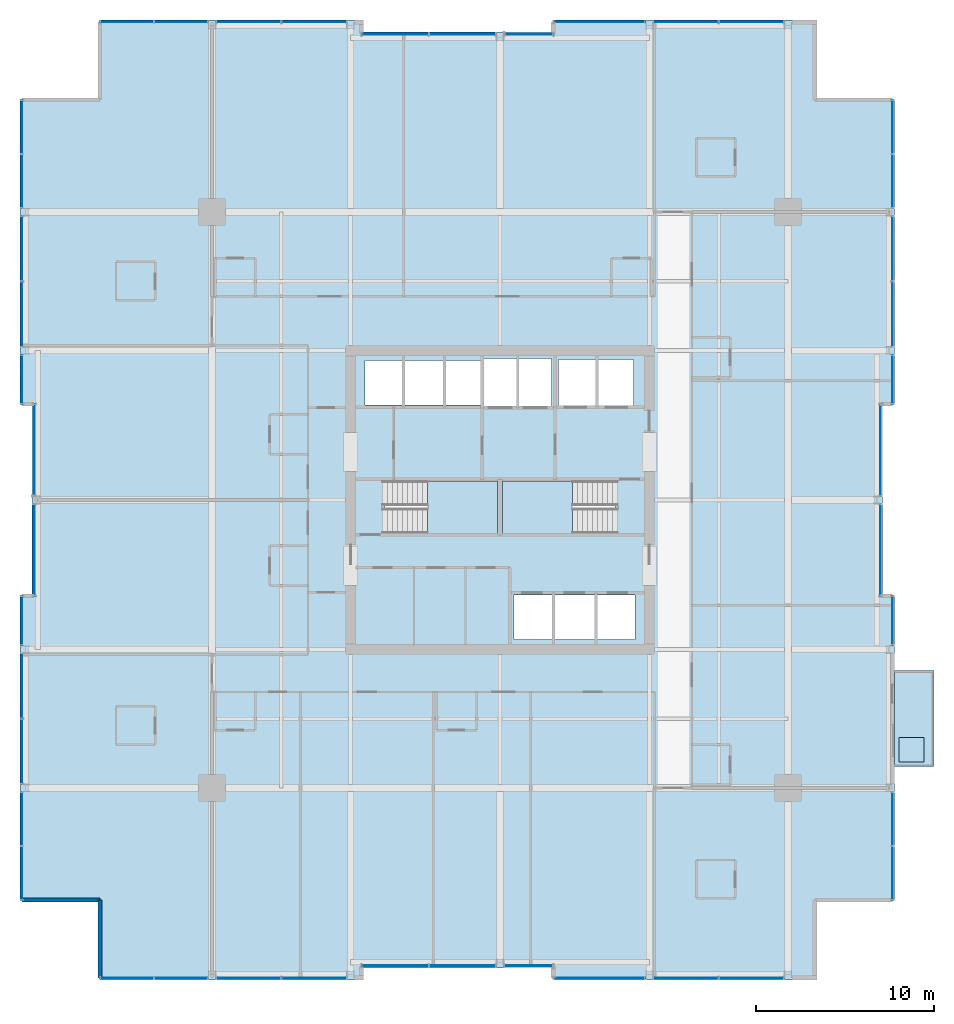
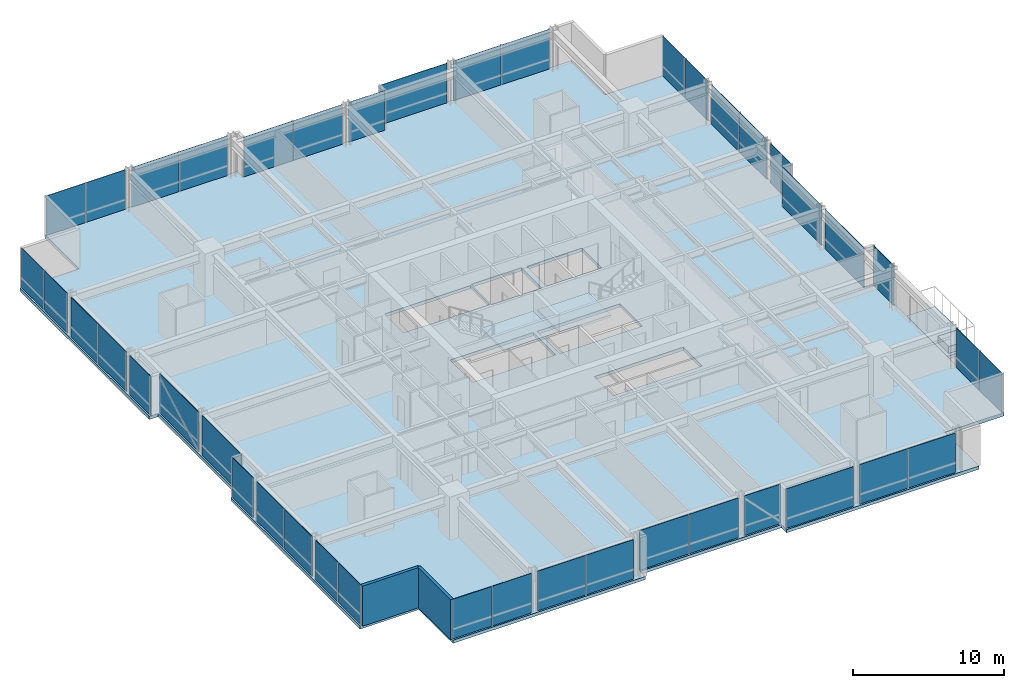
# One storey, part 27 of 34: 42 plates, 5 slabs, 2 walls, 29 elements without a shape of their own.
"""IFC4 building model written with IfcOpenShell, lengths in metres."""

from ifc_helpers import new_model, si_unit, direction, frame, frame_2d, origin, origin_2d, place, context, subcontext, project, spatial, polyline, rectangle, outline, extrude, material, layer, layer_set, type_object, element, aggregate, save


model = new_model("IFC4")

# Units and contexts
model_context = context("Model", 3, precision=1e-05, world=origin(), true_north=direction((0.0, 1.0)))
body_context = subcontext(model_context, "Body", "Model", "MODEL_VIEW")
ifc_project = project(units=[si_unit("LENGTHUNIT", "METRE"), si_unit("AREAUNIT", "SQUARE_METRE"), si_unit("VOLUMEUNIT", "CUBIC_METRE"), si_unit("PLANEANGLEUNIT", "RADIAN"), si_unit("MASSUNIT", "GRAM", prefix="KILO")], contexts=[model_context])

# Site, building, storey
site_placement = place(None, origin())
site = spatial("IfcSite", under=ifc_project, at=site_placement, CompositionType="ELEMENT")
building_placement = place(site_placement, origin())
building = spatial("IfcBuilding", under=site, at=building_placement, Name="Drelvath Grand Hotel", CompositionType="ELEMENT")
storey_placement = place(building_placement, frame((0.0, 0.0, 116.300048828125)))
storey = spatial("IfcBuildingStorey", under=building, at=storey_placement, Name="L29", CompositionType="ELEMENT", Elevation=116.300048828125)

# Slabs
ifc_material_1 = material(Name="Concrete f'c 40 MPa", Category="concrete")
ifc_layer_1 = layer(ifc_material_1, 0.239990234375)
ifc_layer_set_1 = layer_set([ifc_layer_1], Name="Concrete f'c 40 MPa")
slab_type_1 = type_object("IfcSlabType", Name="Cantilevered Tree Balcony Slab 240", PredefinedType="FLOOR", material=ifc_layer_set_1)
slab_1_placement = place(storey_placement, frame((0.0, 0.0, -0.239990234375)))
element("IfcSlab", 1, at=slab_1_placement, inside=storey, type_object=slab_type_1, Name="L29 Cantilevered Tree Balcony Slab 1", PredefinedType="FLOOR", context=body_context, shape_type="SweptSolid", body=[
    extrude(outline(polyline([(22.199951171875, 12.0), (24.39990234375, 12.0), (24.39990234375, 17.39990234375), (22.199951171875, 17.39990234375), (22.199951171875, 12.0)])), origin(), (0.0, 0.0, 1.0), 0.239990234375),
])
ifc_layer_2 = layer(ifc_material_1, 0.260009765625)
ifc_layer_set_2 = layer_set([ifc_layer_2], Name="Concrete f'c 40 MPa")
slab_type_2 = type_object("IfcSlabType", Name="Composite RC Floor Slab 260", PredefinedType="FLOOR", material=ifc_layer_set_2)
slab_2_placement = place(storey_placement, frame((0.0, 0.0, -0.260009765625)))
element("IfcSlab", 2, at=slab_2_placement, inside=storey, type_object=slab_type_2, Name="L29 Structural Floor Slab", PredefinedType="FLOOR", context=body_context, shape_type="SweptSolid", body=[
    extrude(outline(polyline([(-22.5, 0.0), (-7.800048828125, 0.0), (-7.800048828125, 0.679931640625), (3.0, 0.679931640625), (3.0, 0.0), (17.699951171875, 0.0), (17.699951171875, 4.5), (22.199951171875, 4.5), (22.199951171875, 21.60009765625), (21.52001953125, 21.60009765625), (21.52001953125, 32.39990234375), (22.199951171875, 32.39990234375), (22.199951171875, 49.5), (17.699951171875, 49.5), (17.699951171875, 54.0), (3.0, 54.0), (3.0, 53.320068359375), (-7.800048828125, 53.320068359375), (-7.800048828125, 54.0), (-22.5, 54.0), (-22.5, 49.5), (-27.0, 49.5), (-27.0, 32.39990234375), (-26.320068359375, 32.39990234375), (-26.320068359375, 21.60009765625), (-27.0, 21.60009765625), (-27.0, 4.5), (-22.5, 4.5), (-22.5, 0.0)]), holes=[polyline([(-6.47998046875, 25.1201171875), (-6.47998046875, 28.080078125), (-0.14990234375, 28.080078125), (-0.14990234375, 25.1201171875), (-6.47998046875, 25.1201171875)]), polyline([(0.14990234375, 25.1201171875), (0.14990234375, 28.080078125), (6.47998046875, 28.080078125), (6.47998046875, 25.1201171875), (0.14990234375, 25.1201171875)]), polyline([(0.800048828125, 19.14990234375), (0.800048828125, 21.64990234375), (7.60009765625, 21.64990234375), (7.60009765625, 19.14990234375), (0.800048828125, 19.14990234375)]), polyline([(-7.60009765625, 32.35009765625), (-7.60009765625, 34.85009765625), (-1.02001953125, 34.85009765625), (-1.02001953125, 32.35009765625), (-7.60009765625, 32.35009765625)]), polyline([(-0.89990234375, 32.25), (-0.89990234375, 34.949951171875), (2.89990234375, 34.949951171875), (2.89990234375, 32.25), (-0.89990234375, 32.25)]), polyline([(3.300048828125, 32.300048828125), (3.300048828125, 34.89990234375), (7.5, 34.89990234375), (7.5, 32.300048828125), (3.300048828125, 32.300048828125)])]), origin(), (0.0, 0.0, 1.0), 0.260009765625),
])

# Stair, slab
ifc_material_2 = material(Name="Concrete C40/50", Category="concrete")
stair_type = type_object("IfcStairType", Name="Dogleg Exit Stair W1400-R175.0", PredefinedType="HALF_TURN_STAIR", material=ifc_material_2)
stair_1_placement = place(storey_placement, origin())
stair_1 = element("IfcStair", 3, at=stair_1_placement, inside=storey, type_object=stair_type, Name="L29 Core Exit Stair ST-1", PredefinedType="HALF_TURN_STAIR")
ifc_layer_3 = layer(ifc_material_2, 0.199951171875)
ifc_layer_set_3 = layer_set([ifc_layer_3], Name="Concrete C40/50")
slab_type_3 = type_object("IfcSlabType", Name="Concrete Stair Landing Slab 200", PredefinedType="LANDING", material=ifc_layer_set_3)
slab_3_placement = place(storey_placement, frame((0.0, 0.0, 1.550048828125)))
slab_3 = element("IfcSlab", 4, at=slab_3_placement, type_object=slab_type_3, Name="ST-1 landing 1", PredefinedType="LANDING", context=body_context, shape_type="SweptSolid", body=[
    extrude(outline(polyline([(-4.080078125, 25.1201171875), (-0.14990234375, 25.1201171875), (-0.14990234375, 28.080078125), (-4.080078125, 28.080078125), (-4.080078125, 25.1201171875)])), origin(), (0.0, 0.0, 1.0), 0.199951171875),
])
aggregate(stair_1, [slab_3])

stair_2_placement = place(storey_placement, origin())
stair_2 = element("IfcStair", 5, at=stair_2_placement, inside=storey, type_object=stair_type, Name="L29 Core Exit Stair ST-2", PredefinedType="HALF_TURN_STAIR")
slab_4_placement = place(storey_placement, frame((0.0, 0.0, 1.550048828125)))
slab_4 = element("IfcSlab", 6, at=slab_4_placement, type_object=slab_type_3, Name="ST-2 landing 1", PredefinedType="LANDING", context=body_context, shape_type="SweptSolid", body=[
    extrude(outline(polyline([(4.080078125, 28.080078125), (0.14990234375, 28.080078125), (0.14990234375, 25.1201171875), (4.080078125, 25.1201171875), (4.080078125, 28.080078125)])), origin(), (0.0, 0.0, 1.0), 0.199951171875),
])
aggregate(stair_2, [slab_4])

# Curtain wall, plates
ifc_material_3 = material(Name="Champagne Bronze Anodised Aluminium Frame", Category="aluminium")
ifc_layer_4 = layer(ifc_material_3, 0.199951171875)
ifc_layer_set_4 = layer_set([ifc_layer_4], Name="Champagne Bronze Anodised Aluminium Frame")
curtain_wall_type = type_object("IfcCurtainWallType", Name="Stick Curtain Wall CW-03 Champagne Bronze Mid-Rise", PredefinedType="NOTDEFINED", material=ifc_layer_set_4)
curtain_wall_1_placement = place(storey_placement, origin())
curtain_wall_1 = element("IfcCurtainWall", 7, at=curtain_wall_1_placement, inside=storey, type_object=curtain_wall_type, Name="L29 CW-03 Curtain Wall CW03-L29-WS1", PredefinedType="NOTDEFINED")
ifc_material_4 = material(Name="Low-E Triple Silver Vision Glass Neutral", Category="glass")
ifc_layer_5 = layer(ifc_material_4, 0.035888671875)
ifc_layer_set_5 = layer_set([ifc_layer_5], Name="Low-E Triple Silver Vision Glass Neutral")
plate_type = type_object("IfcPlateType", Name="Curtain Wall Vision Panel CW-03 36mm", PredefinedType="CURTAIN_PANEL", material=ifc_layer_set_5)
plate_1_placement = place(storey_placement, frame((-26.8798828125, 6.02001953125, 0.02001953125), z_axis=(0.0, 0.0, 1.0), x_axis=(0.0, 1.0, 0.0)))
plate_1 = element("IfcPlate", 8, at=plate_1_placement, type_object=plate_type, Name="CW03-L29-WS1 Glazed Panel 1", PredefinedType="CURTAIN_PANEL", context=body_context, shape_type="SweptSolid", body=[
    extrude(rectangle(XDim=3.000244140625, YDim=0.035888671875, at=origin_2d()), origin(), (0.0, 0.0, 1.0), 3.199951171875),
])
plate_2_placement = place(storey_placement, frame((-26.8798828125, 9.060302734375, 0.02001953125), z_axis=(0.0, 0.0, 1.0), x_axis=(0.0, 1.0, 0.0)))
plate_2 = element("IfcPlate", 9, at=plate_2_placement, type_object=plate_type, Name="CW03-L29-WS1 Glazed Panel 2", PredefinedType="CURTAIN_PANEL", context=body_context, shape_type="SweptSolid", body=[
    extrude(rectangle(XDim=3.000244140625, YDim=0.035888671875, at=origin_2d()), origin(), (0.0, 0.0, 1.0), 3.199951171875),
])
aggregate(curtain_wall_1, [plate_1, plate_2])

curtain_wall_2_placement = place(storey_placement, origin())
curtain_wall_2 = element("IfcCurtainWall", 10, at=curtain_wall_2_placement, inside=storey, type_object=curtain_wall_type, Name="L29 CW-03 Curtain Wall CW03-L29-WS2", PredefinedType="NOTDEFINED")
plate_3_placement = place(storey_placement, frame((-26.8798828125, 12.85986328125, 0.02001953125), z_axis=(0.0, 0.0, 1.0), x_axis=(0.0, 1.0, 0.0)))
plate_3 = element("IfcPlate", 11, at=plate_3_placement, type_object=plate_type, Name="CW03-L29-WS2 Glazed Panel 1", PredefinedType="CURTAIN_PANEL", context=body_context, shape_type="SweptSolid", body=[
    extrude(rectangle(XDim=3.640380859375, YDim=0.035888671875, at=origin_2d()), origin(), (0.0, 0.0, 1.0), 3.199951171875),
])
plate_4_placement = place(storey_placement, frame((-26.8798828125, 16.540283203125, 0.02001953125), z_axis=(0.0, 0.0, 1.0), x_axis=(0.0, 1.0, 0.0)))
plate_4 = element("IfcPlate", 12, at=plate_4_placement, type_object=plate_type, Name="CW03-L29-WS2 Glazed Panel 2", PredefinedType="CURTAIN_PANEL", context=body_context, shape_type="SweptSolid", body=[
    extrude(rectangle(XDim=3.640380859375, YDim=0.035888671875, at=origin_2d()), origin(), (0.0, 0.0, 1.0), 3.199951171875),
])
aggregate(curtain_wall_2, [plate_3, plate_4])

# Curtain wall, plate
curtain_wall_3_placement = place(storey_placement, origin())
curtain_wall_3 = element("IfcCurtainWall", 13, at=curtain_wall_3_placement, inside=storey, type_object=curtain_wall_type, Name="L29 CW-03 Curtain Wall CW03-L29-WS3", PredefinedType="NOTDEFINED")
plate_5_placement = place(storey_placement, frame((-26.8798828125, 20.209716796875, 0.02001953125), z_axis=(0.0, 0.0, 1.0), x_axis=(0.0, 1.0, 0.0)))
plate_5 = element("IfcPlate", 14, at=plate_5_placement, type_object=plate_type, Name="CW03-L29-WS3 Glazed Panel 1", PredefinedType="CURTAIN_PANEL", context=body_context, shape_type="SweptSolid", body=[
    extrude(rectangle(XDim=2.740478515625, YDim=0.035888671875, at=origin_2d()), origin(), (0.0, 0.0, 1.0), 3.199951171875),
])
aggregate(curtain_wall_3, [plate_5])

curtain_wall_4_placement = place(storey_placement, origin())
curtain_wall_4 = element("IfcCurtainWall", 15, at=curtain_wall_4_placement, inside=storey, type_object=curtain_wall_type, Name="L29 CW-03 Curtain Wall CW03-L29-WM1", PredefinedType="NOTDEFINED")
plate_6_placement = place(storey_placement, frame((-26.199951171875, 24.190185546875, 0.02001953125), z_axis=(0.0, 0.0, 1.0), x_axis=(0.0, 1.0, 0.0)))
plate_6 = element("IfcPlate", 16, at=plate_6_placement, type_object=plate_type, Name="CW03-L29-WM1 Glazed Panel 1", PredefinedType="CURTAIN_PANEL", context=body_context, shape_type="SweptSolid", body=[
    extrude(rectangle(XDim=5.140380859375, YDim=0.035888671875, at=origin_2d()), origin(), (0.0, 0.0, 1.0), 3.199951171875),
])
aggregate(curtain_wall_4, [plate_6])

curtain_wall_5_placement = place(storey_placement, origin())
curtain_wall_5 = element("IfcCurtainWall", 17, at=curtain_wall_5_placement, inside=storey, type_object=curtain_wall_type, Name="L29 CW-03 Curtain Wall CW03-L29-WM2", PredefinedType="NOTDEFINED")
plate_7_placement = place(storey_placement, frame((-26.199951171875, 29.809814453125, 0.02001953125), z_axis=(0.0, 0.0, 1.0), x_axis=(0.0, 1.0, 0.0)))
plate_7 = element("IfcPlate", 18, at=plate_7_placement, type_object=plate_type, Name="CW03-L29-WM2 Glazed Panel 1", PredefinedType="CURTAIN_PANEL", context=body_context, shape_type="SweptSolid", body=[
    extrude(rectangle(XDim=5.140380859375, YDim=0.035888671875, at=origin_2d()), origin(), (0.0, 0.0, 1.0), 3.199951171875),
])
aggregate(curtain_wall_5, [plate_7])

curtain_wall_6_placement = place(storey_placement, origin())
curtain_wall_6 = element("IfcCurtainWall", 19, at=curtain_wall_6_placement, inside=storey, type_object=curtain_wall_type, Name="L29 CW-03 Curtain Wall CW03-L29-WN1", PredefinedType="NOTDEFINED")
plate_8_placement = place(storey_placement, frame((-26.8798828125, 33.790283203125, 0.02001953125), z_axis=(0.0, 0.0, 1.0), x_axis=(0.0, 1.0, 0.0)))
plate_8 = element("IfcPlate", 20, at=plate_8_placement, type_object=plate_type, Name="CW03-L29-WN1 Glazed Panel 1", PredefinedType="CURTAIN_PANEL", context=body_context, shape_type="SweptSolid", body=[
    extrude(rectangle(XDim=2.740478515625, YDim=0.035888671875, at=origin_2d()), origin(), (0.0, 0.0, 1.0), 3.199951171875),
])
aggregate(curtain_wall_6, [plate_8])

# Curtain wall, plates
curtain_wall_7_placement = place(storey_placement, origin())
curtain_wall_7 = element("IfcCurtainWall", 21, at=curtain_wall_7_placement, inside=storey, type_object=curtain_wall_type, Name="L29 CW-03 Curtain Wall CW03-L29-WN2", PredefinedType="NOTDEFINED")
plate_9_placement = place(storey_placement, frame((-26.8798828125, 37.459716796875, 0.02001953125), z_axis=(0.0, 0.0, 1.0), x_axis=(0.0, 1.0, 0.0)))
plate_9 = element("IfcPlate", 22, at=plate_9_placement, type_object=plate_type, Name="CW03-L29-WN2 Glazed Panel 1", PredefinedType="CURTAIN_PANEL", context=body_context, shape_type="SweptSolid", body=[
    extrude(rectangle(XDim=3.640380859375, YDim=0.035888671875, at=origin_2d()), origin(), (0.0, 0.0, 1.0), 3.199951171875),
])
plate_10_placement = place(storey_placement, frame((-26.8798828125, 41.14013671875, 0.02001953125), z_axis=(0.0, 0.0, 1.0), x_axis=(0.0, 1.0, 0.0)))
plate_10 = element("IfcPlate", 23, at=plate_10_placement, type_object=plate_type, Name="CW03-L29-WN2 Glazed Panel 2", PredefinedType="CURTAIN_PANEL", context=body_context, shape_type="SweptSolid", body=[
    extrude(rectangle(XDim=3.640380859375, YDim=0.035888671875, at=origin_2d()), origin(), (0.0, 0.0, 1.0), 3.199951171875),
])
aggregate(curtain_wall_7, [plate_9, plate_10])

curtain_wall_8_placement = place(storey_placement, origin())
curtain_wall_8 = element("IfcCurtainWall", 24, at=curtain_wall_8_placement, inside=storey, type_object=curtain_wall_type, Name="L29 CW-03 Curtain Wall CW03-L29-WN3", PredefinedType="NOTDEFINED")
plate_11_placement = place(storey_placement, frame((-26.8798828125, 44.939697265625, 0.02001953125), z_axis=(0.0, 0.0, 1.0), x_axis=(0.0, 1.0, 0.0)))
plate_11 = element("IfcPlate", 25, at=plate_11_placement, type_object=plate_type, Name="CW03-L29-WN3 Glazed Panel 1", PredefinedType="CURTAIN_PANEL", context=body_context, shape_type="SweptSolid", body=[
    extrude(rectangle(XDim=3.000244140625, YDim=0.035888671875, at=origin_2d()), origin(), (0.0, 0.0, 1.0), 3.199951171875),
])
plate_12_placement = place(storey_placement, frame((-26.8798828125, 47.97998046875, 0.02001953125), z_axis=(0.0, 0.0, 1.0), x_axis=(0.0, 1.0, 0.0)))
plate_12 = element("IfcPlate", 26, at=plate_12_placement, type_object=plate_type, Name="CW03-L29-WN3 Glazed Panel 2", PredefinedType="CURTAIN_PANEL", context=body_context, shape_type="SweptSolid", body=[
    extrude(rectangle(XDim=3.000244140625, YDim=0.035888671875, at=origin_2d()), origin(), (0.0, 0.0, 1.0), 3.199951171875),
])
aggregate(curtain_wall_8, [plate_11, plate_12])

# Curtain wall, plate
curtain_wall_9_placement = place(storey_placement, origin())
curtain_wall_9 = element("IfcCurtainWall", 27, at=curtain_wall_9_placement, inside=storey, type_object=curtain_wall_type, Name="L29 CW-03 Curtain Wall CW03-L29-EN1", PredefinedType="NOTDEFINED")
plate_13_placement = place(storey_placement, frame((22.080078125, 33.790283203125, 0.02001953125), z_axis=(0.0, 0.0, 1.0), x_axis=(0.0, -1.0, 0.0)))
plate_13 = element("IfcPlate", 28, at=plate_13_placement, type_object=plate_type, Name="CW03-L29-EN1 Glazed Panel 1", PredefinedType="CURTAIN_PANEL", context=body_context, shape_type="SweptSolid", body=[
    extrude(rectangle(XDim=2.740478515625, YDim=0.035888671875, at=origin_2d()), origin(), (0.0, 0.0, 1.0), 3.199951171875),
])
aggregate(curtain_wall_9, [plate_13])

# Curtain wall, plates
curtain_wall_10_placement = place(storey_placement, origin())
curtain_wall_10 = element("IfcCurtainWall", 29, at=curtain_wall_10_placement, inside=storey, type_object=curtain_wall_type, Name="L29 CW-03 Curtain Wall CW03-L29-EN2", PredefinedType="NOTDEFINED")
plate_14_placement = place(storey_placement, frame((22.080078125, 41.14013671875, 0.02001953125), z_axis=(0.0, 0.0, 1.0), x_axis=(0.0, -1.0, 0.0)))
plate_14 = element("IfcPlate", 30, at=plate_14_placement, type_object=plate_type, Name="CW03-L29-EN2 Glazed Panel 1", PredefinedType="CURTAIN_PANEL", context=body_context, shape_type="SweptSolid", body=[
    extrude(rectangle(XDim=3.640380859375, YDim=0.035888671875, at=origin_2d()), origin(), (0.0, 0.0, 1.0), 3.199951171875),
])
plate_15_placement = place(storey_placement, frame((22.080078125, 37.459716796875, 0.02001953125), z_axis=(0.0, 0.0, 1.0), x_axis=(0.0, -1.0, 0.0)))
plate_15 = element("IfcPlate", 31, at=plate_15_placement, type_object=plate_type, Name="CW03-L29-EN2 Glazed Panel 2", PredefinedType="CURTAIN_PANEL", context=body_context, shape_type="SweptSolid", body=[
    extrude(rectangle(XDim=3.640380859375, YDim=0.035888671875, at=origin_2d()), origin(), (0.0, 0.0, 1.0), 3.199951171875),
])
aggregate(curtain_wall_10, [plate_14, plate_15])

curtain_wall_11_placement = place(storey_placement, origin())
curtain_wall_11 = element("IfcCurtainWall", 32, at=curtain_wall_11_placement, inside=storey, type_object=curtain_wall_type, Name="L29 CW-03 Curtain Wall CW03-L29-EN3", PredefinedType="NOTDEFINED")
plate_16_placement = place(storey_placement, frame((22.080078125, 47.97998046875, 0.02001953125), z_axis=(0.0, 0.0, 1.0), x_axis=(0.0, -1.0, 0.0)))
plate_16 = element("IfcPlate", 33, at=plate_16_placement, type_object=plate_type, Name="CW03-L29-EN3 Glazed Panel 1", PredefinedType="CURTAIN_PANEL", context=body_context, shape_type="SweptSolid", body=[
    extrude(rectangle(XDim=3.000244140625, YDim=0.035888671875, at=origin_2d()), origin(), (0.0, 0.0, 1.0), 3.199951171875),
])
plate_17_placement = place(storey_placement, frame((22.080078125, 44.939697265625, 0.02001953125), z_axis=(0.0, 0.0, 1.0), x_axis=(0.0, -1.0, 0.0)))
plate_17 = element("IfcPlate", 34, at=plate_17_placement, type_object=plate_type, Name="CW03-L29-EN3 Glazed Panel 2", PredefinedType="CURTAIN_PANEL", context=body_context, shape_type="SweptSolid", body=[
    extrude(rectangle(XDim=3.000244140625, YDim=0.035888671875, at=origin_2d()), origin(), (0.0, 0.0, 1.0), 3.199951171875),
])
aggregate(curtain_wall_11, [plate_16, plate_17])

# Curtain wall, plate
curtain_wall_12_placement = place(storey_placement, origin())
curtain_wall_12 = element("IfcCurtainWall", 35, at=curtain_wall_12_placement, inside=storey, type_object=curtain_wall_type, Name="L29 CW-03 Curtain Wall CW03-L29-EM1", PredefinedType="NOTDEFINED")
plate_18_placement = place(storey_placement, frame((21.39990234375, 24.190185546875, 0.02001953125), z_axis=(0.0, 0.0, 1.0), x_axis=(0.0, -1.0, 0.0)))
plate_18 = element("IfcPlate", 36, at=plate_18_placement, type_object=plate_type, Name="CW03-L29-EM1 Glazed Panel 1", PredefinedType="CURTAIN_PANEL", context=body_context, shape_type="SweptSolid", body=[
    extrude(rectangle(XDim=5.140380859375, YDim=0.035888671875, at=origin_2d()), origin(), (0.0, 0.0, 1.0), 3.199951171875),
])
aggregate(curtain_wall_12, [plate_18])

curtain_wall_13_placement = place(storey_placement, origin())
curtain_wall_13 = element("IfcCurtainWall", 37, at=curtain_wall_13_placement, inside=storey, type_object=curtain_wall_type, Name="L29 CW-03 Curtain Wall CW03-L29-EM2", PredefinedType="NOTDEFINED")
plate_19_placement = place(storey_placement, frame((21.39990234375, 29.809814453125, 0.02001953125), z_axis=(0.0, 0.0, 1.0), x_axis=(0.0, -1.0, 0.0)))
plate_19 = element("IfcPlate", 38, at=plate_19_placement, type_object=plate_type, Name="CW03-L29-EM2 Glazed Panel 1", PredefinedType="CURTAIN_PANEL", context=body_context, shape_type="SweptSolid", body=[
    extrude(rectangle(XDim=5.140380859375, YDim=0.035888671875, at=origin_2d()), origin(), (0.0, 0.0, 1.0), 3.199951171875),
])
aggregate(curtain_wall_13, [plate_19])

# Curtain wall, plates
curtain_wall_14_placement = place(storey_placement, origin())
curtain_wall_14 = element("IfcCurtainWall", 39, at=curtain_wall_14_placement, inside=storey, type_object=curtain_wall_type, Name="L29 CW-03 Curtain Wall CW03-L29-ES1", PredefinedType="NOTDEFINED")
plate_20_placement = place(storey_placement, frame((22.080078125, 9.060302734375, 0.02001953125), z_axis=(0.0, 0.0, 1.0), x_axis=(0.0, -1.0, 0.0)))
plate_20 = element("IfcPlate", 40, at=plate_20_placement, type_object=plate_type, Name="CW03-L29-ES1 Glazed Panel 1", PredefinedType="CURTAIN_PANEL", context=body_context, shape_type="SweptSolid", body=[
    extrude(rectangle(XDim=3.000244140625, YDim=0.035888671875, at=origin_2d()), origin(), (0.0, 0.0, 1.0), 3.199951171875),
])
plate_21_placement = place(storey_placement, frame((22.080078125, 6.02001953125, 0.02001953125), z_axis=(0.0, 0.0, 1.0), x_axis=(0.0, -1.0, 0.0)))
plate_21 = element("IfcPlate", 41, at=plate_21_placement, type_object=plate_type, Name="CW03-L29-ES1 Glazed Panel 2", PredefinedType="CURTAIN_PANEL", context=body_context, shape_type="SweptSolid", body=[
    extrude(rectangle(XDim=3.000244140625, YDim=0.035888671875, at=origin_2d()), origin(), (0.0, 0.0, 1.0), 3.199951171875),
])
aggregate(curtain_wall_14, [plate_20, plate_21])

# Curtain wall, plate
curtain_wall_15_placement = place(storey_placement, origin())
curtain_wall_15 = element("IfcCurtainWall", 42, at=curtain_wall_15_placement, inside=storey, type_object=curtain_wall_type, Name="L29 CW-03 Curtain Wall CW03-L29-ES3", PredefinedType="NOTDEFINED")
plate_22_placement = place(storey_placement, frame((22.080078125, 20.209716796875, 0.02001953125), z_axis=(0.0, 0.0, 1.0), x_axis=(0.0, -1.0, 0.0)))
plate_22 = element("IfcPlate", 43, at=plate_22_placement, type_object=plate_type, Name="CW03-L29-ES3 Glazed Panel 1", PredefinedType="CURTAIN_PANEL", context=body_context, shape_type="SweptSolid", body=[
    extrude(rectangle(XDim=2.740478515625, YDim=0.035888671875, at=origin_2d()), origin(), (0.0, 0.0, 1.0), 3.199951171875),
])
aggregate(curtain_wall_15, [plate_22])

# Curtain wall, plates
curtain_wall_16_placement = place(storey_placement, origin())
curtain_wall_16 = element("IfcCurtainWall", 44, at=curtain_wall_16_placement, inside=storey, type_object=curtain_wall_type, Name="L29 CW-03 Curtain Wall CW03-L29-NW1", PredefinedType="NOTDEFINED")
plate_23_placement = place(storey_placement, frame((-20.97998046875, 53.8798828125, 0.02001953125), z_axis=(0.0, 0.0, 1.0), x_axis=(1.0, 0.0, 0.0)))
plate_23 = element("IfcPlate", 45, at=plate_23_placement, type_object=plate_type, Name="CW03-L29-NW1 Glazed Panel 1", PredefinedType="CURTAIN_PANEL", context=body_context, shape_type="SweptSolid", body=[
    extrude(rectangle(XDim=3.000244140625, YDim=0.035888671875, at=origin_2d()), origin(), (0.0, 0.0, 1.0), 3.199951171875),
])
plate_24_placement = place(storey_placement, frame((-17.939697265625, 53.8798828125, 0.02001953125), z_axis=(0.0, 0.0, 1.0), x_axis=(1.0, 0.0, 0.0)))
plate_24 = element("IfcPlate", 46, at=plate_24_placement, type_object=plate_type, Name="CW03-L29-NW1 Glazed Panel 2", PredefinedType="CURTAIN_PANEL", context=body_context, shape_type="SweptSolid", body=[
    extrude(rectangle(XDim=3.000244140625, YDim=0.035888671875, at=origin_2d()), origin(), (0.0, 0.0, 1.0), 3.199951171875),
])
aggregate(curtain_wall_16, [plate_23, plate_24])

curtain_wall_17_placement = place(storey_placement, origin())
curtain_wall_17 = element("IfcCurtainWall", 47, at=curtain_wall_17_placement, inside=storey, type_object=curtain_wall_type, Name="L29 CW-03 Curtain Wall CW03-L29-NW2", PredefinedType="NOTDEFINED")
plate_25_placement = place(storey_placement, frame((-14.14013671875, 53.8798828125, 0.02001953125), z_axis=(0.0, 0.0, 1.0), x_axis=(1.0, 0.0, 0.0)))
plate_25 = element("IfcPlate", 48, at=plate_25_placement, type_object=plate_type, Name="CW03-L29-NW2 Glazed Panel 1", PredefinedType="CURTAIN_PANEL", context=body_context, shape_type="SweptSolid", body=[
    extrude(rectangle(XDim=3.640380859375, YDim=0.035888671875, at=origin_2d()), origin(), (0.0, 0.0, 1.0), 3.199951171875),
])
plate_26_placement = place(storey_placement, frame((-10.459716796875, 53.8798828125, 0.02001953125), z_axis=(0.0, 0.0, 1.0), x_axis=(1.0, 0.0, 0.0)))
plate_26 = element("IfcPlate", 49, at=plate_26_placement, type_object=plate_type, Name="CW03-L29-NW2 Glazed Panel 2", PredefinedType="CURTAIN_PANEL", context=body_context, shape_type="SweptSolid", body=[
    extrude(rectangle(XDim=3.640380859375, YDim=0.035888671875, at=origin_2d()), origin(), (0.0, 0.0, 1.0), 3.199951171875),
])
aggregate(curtain_wall_17, [plate_25, plate_26])

curtain_wall_18_placement = place(storey_placement, origin())
curtain_wall_18 = element("IfcCurtainWall", 50, at=curtain_wall_18_placement, inside=storey, type_object=curtain_wall_type, Name="L29 CW-03 Curtain Wall CW03-L29-NM1", PredefinedType="NOTDEFINED")
plate_27_placement = place(storey_placement, frame((-5.90478515625, 53.199951171875, 0.02001953125), z_axis=(0.0, 0.0, 1.0), x_axis=(1.0, 0.0, 0.0)))
plate_27 = element("IfcPlate", 51, at=plate_27_placement, type_object=plate_type, Name="CW03-L29-NM1 Glazed Panel 1", PredefinedType="CURTAIN_PANEL", context=body_context, shape_type="SweptSolid", body=[
    extrude(rectangle(XDim=3.750244140625, YDim=0.035888671875, at=origin_2d()), origin(), (0.0, 0.0, 1.0), 3.199951171875),
])
plate_28_placement = place(storey_placement, frame((-2.11474609375, 53.199951171875, 0.02001953125), z_axis=(0.0, 0.0, 1.0), x_axis=(1.0, 0.0, 0.0)))
plate_28 = element("IfcPlate", 52, at=plate_28_placement, type_object=plate_type, Name="CW03-L29-NM1 Glazed Panel 2", PredefinedType="CURTAIN_PANEL", context=body_context, shape_type="SweptSolid", body=[
    extrude(rectangle(XDim=3.750244140625, YDim=0.035888671875, at=origin_2d()), origin(), (0.0, 0.0, 1.0), 3.199951171875),
])
aggregate(curtain_wall_18, [plate_27, plate_28])

# Curtain wall, plate
curtain_wall_19_placement = place(storey_placement, origin())
curtain_wall_19 = element("IfcCurtainWall", 53, at=curtain_wall_19_placement, inside=storey, type_object=curtain_wall_type, Name="L29 CW-03 Curtain Wall CW03-L29-NM2", PredefinedType="NOTDEFINED")
plate_29_placement = place(storey_placement, frame((1.60986328125, 53.199951171875, 0.02001953125), z_axis=(0.0, 0.0, 1.0), x_axis=(1.0, 0.0, 0.0)))
plate_29 = element("IfcPlate", 54, at=plate_29_placement, type_object=plate_type, Name="CW03-L29-NM2 Glazed Panel 1", PredefinedType="CURTAIN_PANEL", context=body_context, shape_type="SweptSolid", body=[
    extrude(rectangle(XDim=2.740478515625, YDim=0.035888671875, at=origin_2d()), origin(), (0.0, 0.0, 1.0), 3.199951171875),
])
aggregate(curtain_wall_19, [plate_29])

curtain_wall_20_placement = place(storey_placement, origin())
curtain_wall_20 = element("IfcCurtainWall", 55, at=curtain_wall_20_placement, inside=storey, type_object=curtain_wall_type, Name="L29 CW-03 Curtain Wall CW03-L29-NE1", PredefinedType="NOTDEFINED")
plate_30_placement = place(storey_placement, frame((5.590087890625, 53.8798828125, 0.02001953125), z_axis=(0.0, 0.0, 1.0), x_axis=(1.0, 0.0, 0.0)))
plate_30 = element("IfcPlate", 56, at=plate_30_placement, type_object=plate_type, Name="CW03-L29-NE1 Glazed Panel 1", PredefinedType="CURTAIN_PANEL", context=body_context, shape_type="SweptSolid", body=[
    extrude(rectangle(XDim=5.140380859375, YDim=0.035888671875, at=origin_2d()), origin(), (0.0, 0.0, 1.0), 3.199951171875),
])
aggregate(curtain_wall_20, [plate_30])

# Curtain wall, plates
curtain_wall_21_placement = place(storey_placement, origin())
curtain_wall_21 = element("IfcCurtainWall", 57, at=curtain_wall_21_placement, inside=storey, type_object=curtain_wall_type, Name="L29 CW-03 Curtain Wall CW03-L29-NE2", PredefinedType="NOTDEFINED")
plate_31_placement = place(storey_placement, frame((10.459716796875, 53.8798828125, 0.02001953125), z_axis=(0.0, 0.0, 1.0), x_axis=(1.0, 0.0, 0.0)))
plate_31 = element("IfcPlate", 58, at=plate_31_placement, type_object=plate_type, Name="CW03-L29-NE2 Glazed Panel 1", PredefinedType="CURTAIN_PANEL", context=body_context, shape_type="SweptSolid", body=[
    extrude(rectangle(XDim=3.640380859375, YDim=0.035888671875, at=origin_2d()), origin(), (0.0, 0.0, 1.0), 3.199951171875),
])
plate_32_placement = place(storey_placement, frame((14.14013671875, 53.8798828125, 0.02001953125), z_axis=(0.0, 0.0, 1.0), x_axis=(1.0, 0.0, 0.0)))
plate_32 = element("IfcPlate", 59, at=plate_32_placement, type_object=plate_type, Name="CW03-L29-NE2 Glazed Panel 2", PredefinedType="CURTAIN_PANEL", context=body_context, shape_type="SweptSolid", body=[
    extrude(rectangle(XDim=3.640380859375, YDim=0.035888671875, at=origin_2d()), origin(), (0.0, 0.0, 1.0), 3.199951171875),
])
aggregate(curtain_wall_21, [plate_31, plate_32])

# Curtain wall, plate
curtain_wall_22_placement = place(storey_placement, origin())
curtain_wall_22 = element("IfcCurtainWall", 60, at=curtain_wall_22_placement, inside=storey, type_object=curtain_wall_type, Name="L29 CW-03 Curtain Wall CW03-L29-SE1", PredefinedType="NOTDEFINED")
plate_33_placement = place(storey_placement, frame((5.590087890625, 0.1201171875, 0.02001953125), z_axis=(0.0, 0.0, 1.0), x_axis=(-1.0, 0.0, 0.0)))
plate_33 = element("IfcPlate", 61, at=plate_33_placement, type_object=plate_type, Name="CW03-L29-SE1 Glazed Panel 1", PredefinedType="CURTAIN_PANEL", context=body_context, shape_type="SweptSolid", body=[
    extrude(rectangle(XDim=5.140380859375, YDim=0.035888671875, at=origin_2d()), origin(), (0.0, 0.0, 1.0), 3.199951171875),
])
aggregate(curtain_wall_22, [plate_33])

# Curtain wall, plates
curtain_wall_23_placement = place(storey_placement, origin())
curtain_wall_23 = element("IfcCurtainWall", 62, at=curtain_wall_23_placement, inside=storey, type_object=curtain_wall_type, Name="L29 CW-03 Curtain Wall CW03-L29-SE2", PredefinedType="NOTDEFINED")
plate_34_placement = place(storey_placement, frame((14.14013671875, 0.1201171875, 0.02001953125), z_axis=(0.0, 0.0, 1.0), x_axis=(-1.0, 0.0, 0.0)))
plate_34 = element("IfcPlate", 63, at=plate_34_placement, type_object=plate_type, Name="CW03-L29-SE2 Glazed Panel 1", PredefinedType="CURTAIN_PANEL", context=body_context, shape_type="SweptSolid", body=[
    extrude(rectangle(XDim=3.640380859375, YDim=0.035888671875, at=origin_2d()), origin(), (0.0, 0.0, 1.0), 3.199951171875),
])
plate_35_placement = place(storey_placement, frame((10.459716796875, 0.1201171875, 0.02001953125), z_axis=(0.0, 0.0, 1.0), x_axis=(-1.0, 0.0, 0.0)))
plate_35 = element("IfcPlate", 64, at=plate_35_placement, type_object=plate_type, Name="CW03-L29-SE2 Glazed Panel 2", PredefinedType="CURTAIN_PANEL", context=body_context, shape_type="SweptSolid", body=[
    extrude(rectangle(XDim=3.640380859375, YDim=0.035888671875, at=origin_2d()), origin(), (0.0, 0.0, 1.0), 3.199951171875),
])
aggregate(curtain_wall_23, [plate_34, plate_35])

curtain_wall_24_placement = place(storey_placement, origin())
curtain_wall_24 = element("IfcCurtainWall", 65, at=curtain_wall_24_placement, inside=storey, type_object=curtain_wall_type, Name="L29 CW-03 Curtain Wall CW03-L29-SM1", PredefinedType="NOTDEFINED")
plate_36_placement = place(storey_placement, frame((-2.11474609375, 0.800048828125, 0.02001953125), z_axis=(0.0, 0.0, 1.0), x_axis=(-1.0, 0.0, 0.0)))
plate_36 = element("IfcPlate", 66, at=plate_36_placement, type_object=plate_type, Name="CW03-L29-SM1 Glazed Panel 1", PredefinedType="CURTAIN_PANEL", context=body_context, shape_type="SweptSolid", body=[
    extrude(rectangle(XDim=3.750244140625, YDim=0.035888671875, at=origin_2d()), origin(), (0.0, 0.0, 1.0), 3.199951171875),
])
plate_37_placement = place(storey_placement, frame((-5.90478515625, 0.800048828125, 0.02001953125), z_axis=(0.0, 0.0, 1.0), x_axis=(-1.0, 0.0, 0.0)))
plate_37 = element("IfcPlate", 67, at=plate_37_placement, type_object=plate_type, Name="CW03-L29-SM1 Glazed Panel 2", PredefinedType="CURTAIN_PANEL", context=body_context, shape_type="SweptSolid", body=[
    extrude(rectangle(XDim=3.750244140625, YDim=0.035888671875, at=origin_2d()), origin(), (0.0, 0.0, 1.0), 3.199951171875),
])
aggregate(curtain_wall_24, [plate_36, plate_37])

# Curtain wall, plate
curtain_wall_25_placement = place(storey_placement, origin())
curtain_wall_25 = element("IfcCurtainWall", 68, at=curtain_wall_25_placement, inside=storey, type_object=curtain_wall_type, Name="L29 CW-03 Curtain Wall CW03-L29-SM2", PredefinedType="NOTDEFINED")
plate_38_placement = place(storey_placement, frame((1.60986328125, 0.800048828125, 0.02001953125), z_axis=(0.0, 0.0, 1.0), x_axis=(-1.0, 0.0, 0.0)))
plate_38 = element("IfcPlate", 69, at=plate_38_placement, type_object=plate_type, Name="CW03-L29-SM2 Glazed Panel 1", PredefinedType="CURTAIN_PANEL", context=body_context, shape_type="SweptSolid", body=[
    extrude(rectangle(XDim=2.740478515625, YDim=0.035888671875, at=origin_2d()), origin(), (0.0, 0.0, 1.0), 3.199951171875),
])
aggregate(curtain_wall_25, [plate_38])

# Curtain wall, plates
curtain_wall_26_placement = place(storey_placement, origin())
curtain_wall_26 = element("IfcCurtainWall", 70, at=curtain_wall_26_placement, inside=storey, type_object=curtain_wall_type, Name="L29 CW-03 Curtain Wall CW03-L29-SW1", PredefinedType="NOTDEFINED")
plate_39_placement = place(storey_placement, frame((-17.939697265625, 0.1201171875, 0.02001953125), z_axis=(0.0, 0.0, 1.0), x_axis=(-1.0, 0.0, 0.0)))
plate_39 = element("IfcPlate", 71, at=plate_39_placement, type_object=plate_type, Name="CW03-L29-SW1 Glazed Panel 1", PredefinedType="CURTAIN_PANEL", context=body_context, shape_type="SweptSolid", body=[
    extrude(rectangle(XDim=3.000244140625, YDim=0.035888671875, at=origin_2d()), origin(), (0.0, 0.0, 1.0), 3.199951171875),
])
plate_40_placement = place(storey_placement, frame((-20.97998046875, 0.1201171875, 0.02001953125), z_axis=(0.0, 0.0, 1.0), x_axis=(-1.0, 0.0, 0.0)))
plate_40 = element("IfcPlate", 72, at=plate_40_placement, type_object=plate_type, Name="CW03-L29-SW1 Glazed Panel 2", PredefinedType="CURTAIN_PANEL", context=body_context, shape_type="SweptSolid", body=[
    extrude(rectangle(XDim=3.000244140625, YDim=0.035888671875, at=origin_2d()), origin(), (0.0, 0.0, 1.0), 3.199951171875),
])
aggregate(curtain_wall_26, [plate_39, plate_40])

curtain_wall_27_placement = place(storey_placement, origin())
curtain_wall_27 = element("IfcCurtainWall", 73, at=curtain_wall_27_placement, inside=storey, type_object=curtain_wall_type, Name="L29 CW-03 Curtain Wall CW03-L29-SW2", PredefinedType="NOTDEFINED")
plate_41_placement = place(storey_placement, frame((-10.459716796875, 0.1201171875, 0.02001953125), z_axis=(0.0, 0.0, 1.0), x_axis=(-1.0, 0.0, 0.0)))
plate_41 = element("IfcPlate", 74, at=plate_41_placement, type_object=plate_type, Name="CW03-L29-SW2 Glazed Panel 1", PredefinedType="CURTAIN_PANEL", context=body_context, shape_type="SweptSolid", body=[
    extrude(rectangle(XDim=3.640380859375, YDim=0.035888671875, at=origin_2d()), origin(), (0.0, 0.0, 1.0), 3.199951171875),
])
plate_42_placement = place(storey_placement, frame((-14.14013671875, 0.1201171875, 0.02001953125), z_axis=(0.0, 0.0, 1.0), x_axis=(-1.0, 0.0, 0.0)))
plate_42 = element("IfcPlate", 75, at=plate_42_placement, type_object=plate_type, Name="CW03-L29-SW2 Glazed Panel 2", PredefinedType="CURTAIN_PANEL", context=body_context, shape_type="SweptSolid", body=[
    extrude(rectangle(XDim=3.640380859375, YDim=0.035888671875, at=origin_2d()), origin(), (0.0, 0.0, 1.0), 3.199951171875),
])
aggregate(curtain_wall_27, [plate_41, plate_42])

# Slab
ifc_layer_6 = layer(ifc_material_1, 0.550048828125)
ifc_layer_set_6 = layer_set([ifc_layer_6], Name="Concrete f'c 40 MPa")
slab_type_4 = type_object("IfcSlabType", Name="Structural Tree Planter Box 550", PredefinedType="USERDEFINED", material=ifc_layer_set_6)
slab_5_placement = place(storey_placement, origin())
element("IfcSlab", 76, at=slab_5_placement, inside=storey, type_object=slab_type_4, Name="L29 Tree Balcony Structural Planter 1", ObjectType="PLANTER", PredefinedType="USERDEFINED", context=body_context, shape_type="SweptSolid", body=[
    extrude(outline(polyline([(22.449951171875, 12.25), (23.85009765625, 12.25), (23.85009765625, 13.64990234375), (22.449951171875, 13.64990234375), (22.449951171875, 12.25)])), origin(), (0.0, 0.0, 1.0), 0.550048828125),
])

# Walls
ifc_material_5 = material(Name="Pale-Metal Insulated Aluminium Spandrel Assembly", Category="aluminium")
ifc_layer_7 = layer(ifc_material_5, 0.239990234375)
ifc_layer_set_7 = layer_set([ifc_layer_7], Name="Pale-Metal Insulated Aluminium Spandrel Assembly")
wall_type = type_object("IfcWallType", Name="Tower Insulated Metal Spandrel Closure Wall 240", PredefinedType="STANDARD", material=ifc_layer_set_7)
for number, where, z_axis, x_axis, name in (
    (77, (-22.5, 0.1201171875, 0.0), (0.0, 0.0, 1.0), (0.0, 1.0, 0.0), "L29 Notched Corner Return Spandrel Wall CSW1"),
    (78, (-22.5, 4.5, 0.0), (0.0, 0.0, 1.0), (-1.0, 0.0, 0.0), "L29 Notched Corner Return Spandrel Wall CSW2"),
):
    element("IfcWall", number, at=place(storey_placement, frame(where, z_axis=z_axis, x_axis=x_axis)), inside=storey, type_object=wall_type, Name=name, PredefinedType="STANDARD", context=body_context, shape_type="SweptSolid", body=[
        extrude(rectangle(XDim=4.3798828125, YDim=0.239990234375, at=frame_2d((2.18994140625, 0.0))), origin(), (0.0, 0.0, 1.0), 3.239990234375),
    ])

save(model, "model.ifc")
